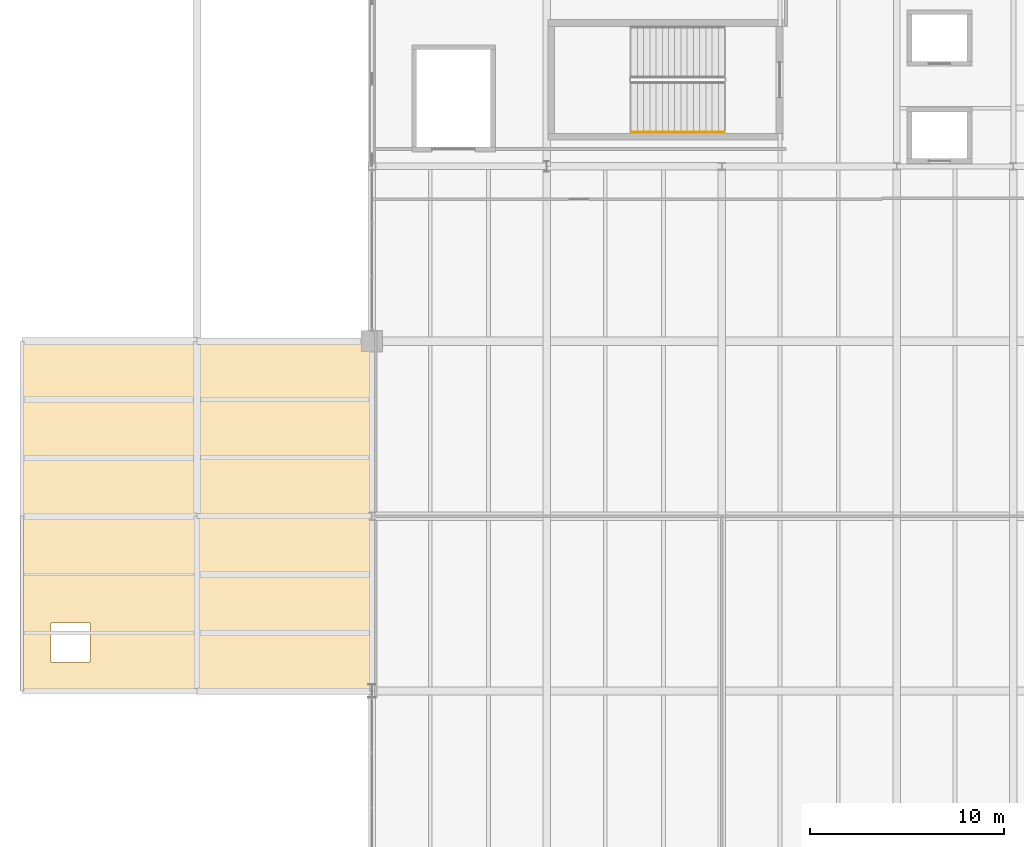
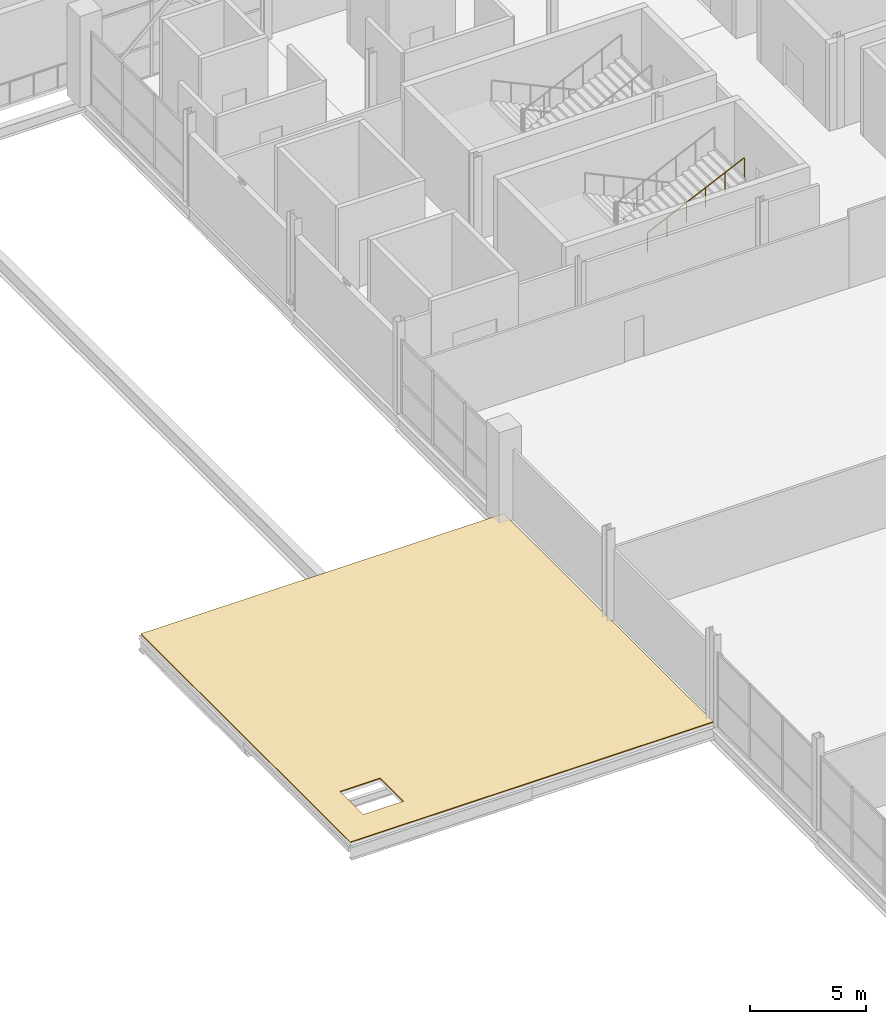
# One storey, part 44 of 50: 1 covering, 1 railing.
"""IFC4 building model written with IfcOpenShell, lengths in metres."""

from ifc_helpers import new_model, si_unit, direction, frame, origin, origin_2d, place, context, subcontext, project, spatial, polyline, circle, outline, extrude, material, layer, layer_set, type_object, element, save


model = new_model("IFC4")

# Units and contexts
model_context = context("Model", 3, precision=1e-05, world=origin(), true_north=direction((0.0, 1.0)))
body_context = subcontext(model_context, "Body", "Model", "MODEL_VIEW")
ifc_project = project(units=[si_unit("LENGTHUNIT", "METRE"), si_unit("AREAUNIT", "SQUARE_METRE"), si_unit("VOLUMEUNIT", "CUBIC_METRE"), si_unit("PLANEANGLEUNIT", "RADIAN"), si_unit("MASSUNIT", "GRAM", prefix="KILO")], contexts=[model_context])

# Site, building, storey
site_placement = place(None, origin())
site = spatial("IfcSite", under=ifc_project, at=site_placement, CompositionType="ELEMENT")
building_placement = place(site_placement, origin())
building = spatial("IfcBuilding", under=site, at=building_placement, Name="Qamarlyn Nura Convention Centre", CompositionType="ELEMENT")
storey_placement = place(building_placement, frame((0.0, 0.0, 20.39990234375)))
storey = spatial("IfcBuildingStorey", under=building, at=storey_placement, Name="L04", CompositionType="ELEMENT", Elevation=20.39990234375)

# Covering
ifc_material_1 = material(Name="High-albedo TPO cool-roof membrane")
ifc_layer = layer(ifc_material_1, 0.050048828125, Name="COV-ROOF-TPO")
ifc_layer_set = layer_set([ifc_layer], Name="High-albedo TPO cool-roof membrane")
covering_type = type_object("IfcCoveringType", Name="COV-ROOF-TPO", PredefinedType="ROOFING", material=ifc_layer_set)
covering_placement = place(storey_placement, origin())
element("IfcCovering", 1, at=covering_placement, inside=storey, type_object=covering_type, Name="L04 high-albedo TPO roof membrane ROOFSLAB-R-L04-WS1", PredefinedType="ROOFING", context=body_context, shape_type="SweptSolid", body=[
    extrude(outline(polyline([(135.0, 27.0), (135.0, 45.0), (153.0, 45.0), (153.0, 27.0), (135.0, 27.0)]), holes=[polyline([(138.5, 30.5), (136.5, 30.5), (136.5, 28.5), (138.5, 28.5), (138.5, 30.5)])]), origin(), (0.0, 0.0, 1.0), 0.050048828125),
])

# Railing
ifc_material_2 = material(Name="Marine Grade 316 stainless steel", Category="steel")
railing_type = type_object("IfcRailingType", Name="HRL-STAIR-090", PredefinedType="HANDRAIL", material=ifc_material_2)
railing_placement = place(storey_placement, frame((166.340087890625, 55.75, 2.702392578125)))
element("IfcRailing", 2, at=railing_placement, inside=storey, type_object=railing_type, Name="L04 ST-11 stair handrail 2", PredefinedType="HANDRAIL", context=body_context, shape_type="SweptSolid", body=[
    extrude(circle(Radius=0.02392578125, at=origin_2d()), frame((0.0, 0.0, 0.88818359375), z_axis=(0.905452298538, 0.0, 0.424448035774), x_axis=(0.0, 1.0, 0.0)), (0.0, 0.0, 1.0), 5.301025390625),
    extrude(circle(Radius=0.02099609375, at=origin_2d()), frame((0.0, 0.0, -0.155029296875)), (0.0, 0.0, 1.0), 1.01708984375),
    extrude(circle(Radius=0.02099609375, at=origin_2d()), frame((0.9599609375, 0.0, 0.294921875)), (0.0, 0.0, 1.0), 1.01708984375),
    extrude(circle(Radius=0.02099609375, at=origin_2d()), frame((1.919921875, 0.0, 0.744873046875)), (0.0, 0.0, 1.0), 1.01708984375),
    extrude(circle(Radius=0.02099609375, at=origin_2d()), frame((2.8798828125, 0.0, 1.195068359375)), (0.0, 0.0, 1.0), 1.01708984375),
    extrude(circle(Radius=0.02099609375, at=origin_2d()), frame((3.83984375, 0.0, 1.64501953125)), (0.0, 0.0, 1.0), 1.01708984375),
    extrude(circle(Radius=0.02099609375, at=origin_2d()), frame((4.7998046875, 0.0, 2.094970703125)), (0.0, 0.0, 1.0), 1.01708984375),
])

save(model, "model.ifc")
